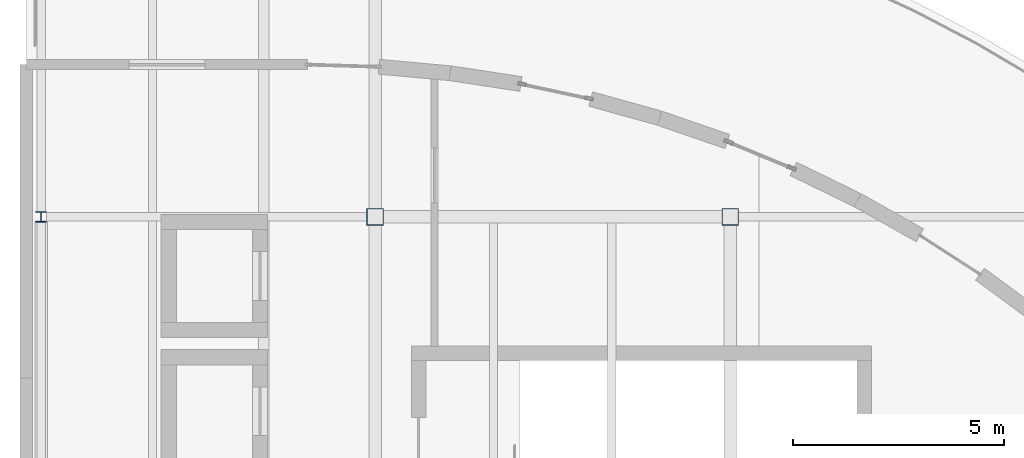
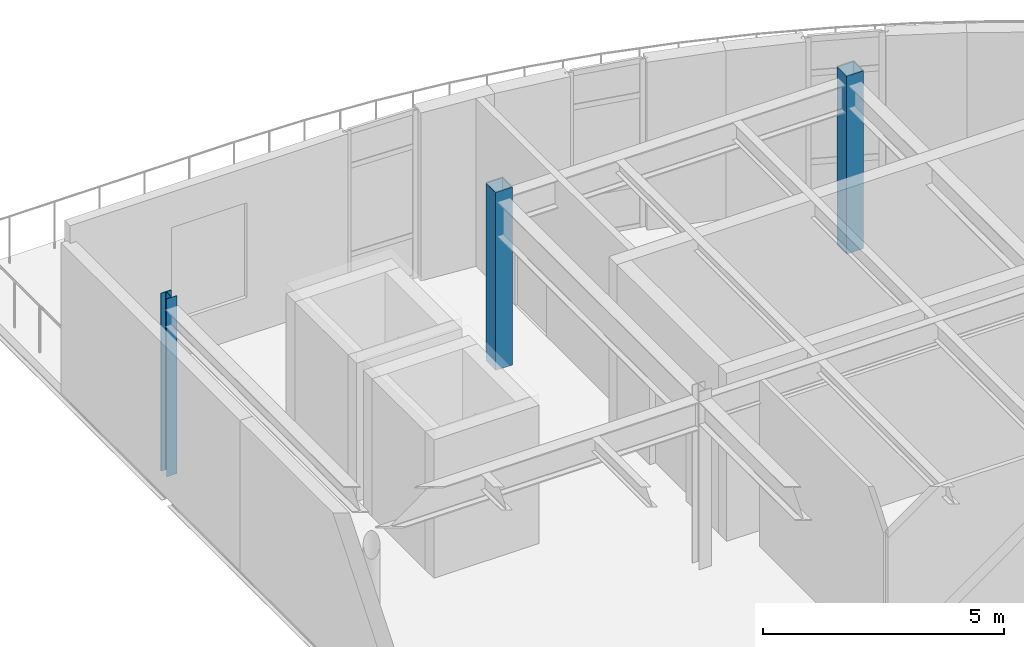
# One storey, part 4 of 26: 3 columns.
"""IFC4 building model written with IfcOpenShell, lengths in metres."""

from ifc_helpers import new_model, si_unit, direction, frame, origin, origin_2d, place, context, subcontext, project, spatial, hollow_rectangle, i_section, extrude, material, material_profile, profile_set, type_object, element, save


model = new_model("IFC4")

# Units and contexts
model_context = context("Model", 3, precision=1e-05, world=origin(), true_north=direction((0.0, 1.0)))
body_context = subcontext(model_context, "Body", "Model", "MODEL_VIEW")
ifc_project = project(units=[si_unit("LENGTHUNIT", "METRE"), si_unit("AREAUNIT", "SQUARE_METRE"), si_unit("VOLUMEUNIT", "CUBIC_METRE"), si_unit("PLANEANGLEUNIT", "RADIAN"), si_unit("MASSUNIT", "GRAM", prefix="KILO"), si_unit("THERMODYNAMICTEMPERATUREUNIT", "KELVIN")], contexts=[model_context])

# Site, building, storey
site_placement = place(None, origin())
site = spatial("IfcSite", under=ifc_project, at=site_placement, CompositionType="ELEMENT")
building_placement = place(site_placement, origin())
building = spatial("IfcBuilding", under=site, at=building_placement, Name="Lustrewick Department Store", CompositionType="ELEMENT")
storey_placement = place(building_placement, frame((0.0, 0.0, 36.300048828125)))
storey = spatial("IfcBuildingStorey", under=building, at=storey_placement, Name="L08", CompositionType="ELEMENT", Elevation=36.300048828125)

# Columns
ifc_material = material(Name="Structural steel Q355B", Category="steel")
ifc_material_profile_1 = material_profile(ifc_material, hollow_rectangle(XDim=0.39990234375, YDim=0.39990234375, WallThickness=0.01611328125, at=origin_2d()), Name="BOX 400x400x16")
ifc_profile_set_1 = profile_set([ifc_material_profile_1], Name="Structural steel Q355B")
column_type_1 = type_object("IfcColumnType", Name="C08", PredefinedType="COLUMN", material=ifc_profile_set_1)
for number, where, z_axis, x_axis, name in (
    (1, (117.60009765625, 84.0, 0.0), (0.0, 0.0, 1.0), (1.0, 0.0, 0.0), "L08 V4 Column C08"),
    (2, (126.0, 84.0, 0.0), (0.0, 0.0, 1.0), (1.0, 0.0, 0.0), "L08 V4 Column C08"),
):
    element("IfcColumn", number, at=place(storey_placement, frame(where, z_axis=z_axis, x_axis=x_axis)), inside=storey, type_object=column_type_1, Name=name, PredefinedType="COLUMN", context=body_context, shape_type="SweptSolid", body=[
        extrude(hollow_rectangle(XDim=0.39990234375, YDim=0.39990234375, WallThickness=0.01611328125, at=origin_2d()), origin(), (0.0, 0.0, 1.0), 4.5),
    ])
ifc_material_profile_2 = material_profile(ifc_material, i_section(OverallWidth=0.25, OverallDepth=0.25, WebThickness=0.009033203125, FlangeThickness=0.013916015625, FilletRadius=0.01611328125, at=origin_2d()), Name="HW 250x250x9x14")
ifc_profile_set_2 = profile_set([ifc_material_profile_2], Name="Structural steel Q355B")
column_type_2 = type_object("IfcColumnType", Name="CE08", PredefinedType="COLUMN", material=ifc_profile_set_2)
column_placement = place(storey_placement, frame((109.699951171875, 84.0, 0.0), z_axis=(0.0, 0.0, 1.0), x_axis=(1.0, 0.0, 0.0)))
element("IfcColumn", 3, at=column_placement, inside=storey, type_object=column_type_2, Name="L08 V4 Column CE08", PredefinedType="COLUMN", context=body_context, shape_type="SweptSolid", body=[
    extrude(i_section(OverallWidth=0.25, OverallDepth=0.25, WebThickness=0.009033203125, FlangeThickness=0.013916015625, FilletRadius=0.01611328125, at=origin_2d()), origin(), (0.0, 0.0, 1.0), 4.5),
])

save(model, "model.ifc")
